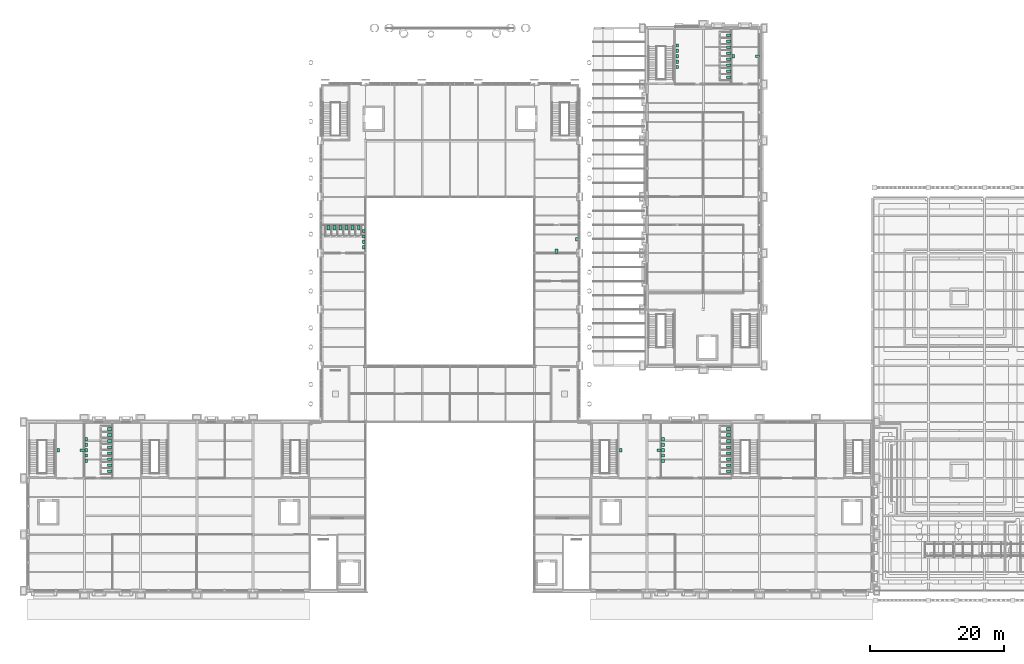
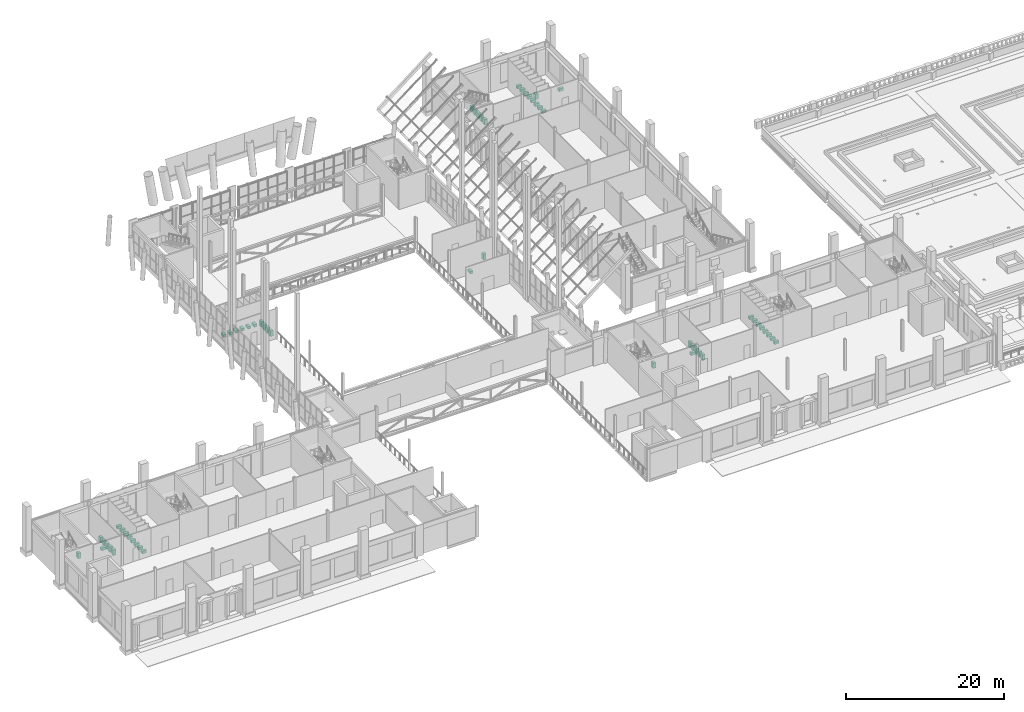
# One storey, part 76 of 76: 57 sanitary terminals.
"""IFC4 building model written with IfcOpenShell, lengths in metres."""

from ifc_helpers import new_model, si_unit, direction, frame, origin, origin_2d, place, context, subcontext, project, spatial, rectangle, extrude, element, save


model = new_model("IFC4")

# Units and contexts
model_context = context("Model", 3, precision=1e-05, world=origin(), true_north=direction((0.0, 1.0)))
body_context = subcontext(model_context, "Body", "Model", "MODEL_VIEW")
ifc_project = project(units=[si_unit("LENGTHUNIT", "METRE"), si_unit("AREAUNIT", "SQUARE_METRE"), si_unit("VOLUMEUNIT", "CUBIC_METRE"), si_unit("PLANEANGLEUNIT", "RADIAN"), si_unit("MASSUNIT", "GRAM", prefix="KILO")], contexts=[model_context])

# Site, building, storey
site_placement = place(None, origin())
site = spatial("IfcSite", under=ifc_project, at=site_placement, CompositionType="ELEMENT")
building_placement = place(site_placement, origin())
building = spatial("IfcBuilding", under=site, at=building_placement, Name="Sava Quay Ferry Terminal", CompositionType="ELEMENT")
storey_placement = place(building_placement, frame((0.0, 0.0, 6.0)))
storey = spatial("IfcBuildingStorey", under=building, at=storey_placement, Name="L01", CompositionType="ELEMENT", Elevation=6.0)

# Sanitary terminals
for number, where, z_axis, x_axis, name in (
    (1, (12.199951171875, 43.050048828125, 0.0), (0.0, 0.0, 1.0), (1.0, 0.0, 0.0), "WC pan"),
    (2, (12.199951171875, 43.949951171875, 0.0), (0.0, 0.0, 1.0), (1.0, 0.0, 0.0), "WC pan"),
    (3, (12.199951171875, 44.85009765625, 0.0), (0.0, 0.0, 1.0), (1.0, 0.0, 0.0), "WC pan"),
    (4, (12.199951171875, 45.75, 0.0), (0.0, 0.0, 1.0), (1.0, 0.0, 0.0), "WC pan"),
    (5, (12.199951171875, 46.64990234375, 0.0), (0.0, 0.0, 1.0), (1.0, 0.0, 0.0), "WC pan"),
    (6, (12.199951171875, 47.550048828125, 0.0), (0.0, 0.0, 1.0), (1.0, 0.0, 0.0), "WC pan"),
    (7, (12.199951171875, 48.449951171875, 0.0), (0.0, 0.0, 1.0), (1.0, 0.0, 0.0), "WC pan"),
    (8, (12.199951171875, 49.35009765625, 0.0), (0.0, 0.0, 1.0), (1.0, 0.0, 0.0), "WC pan"),
    (9, (104.60009765625, 43.050048828125, 0.0), (0.0, 0.0, 1.0), (1.0, 0.0, 0.0), "WC pan"),
    (10, (104.60009765625, 43.949951171875, 0.0), (0.0, 0.0, 1.0), (1.0, 0.0, 0.0), "WC pan"),
    (11, (104.60009765625, 44.85009765625, 0.0), (0.0, 0.0, 1.0), (1.0, 0.0, 0.0), "WC pan"),
    (12, (104.60009765625, 45.75, 0.0), (0.0, 0.0, 1.0), (1.0, 0.0, 0.0), "WC pan"),
    (13, (104.60009765625, 46.64990234375, 0.0), (0.0, 0.0, 1.0), (1.0, 0.0, 0.0), "WC pan"),
    (14, (104.60009765625, 47.550048828125, 0.0), (0.0, 0.0, 1.0), (1.0, 0.0, 0.0), "WC pan"),
    (15, (104.60009765625, 48.449951171875, 0.0), (0.0, 0.0, 1.0), (1.0, 0.0, 0.0), "WC pan"),
    (16, (104.60009765625, 49.35009765625, 0.0), (0.0, 0.0, 1.0), (1.0, 0.0, 0.0), "WC pan"),
):
    element("IfcSanitaryTerminal", number, at=place(storey_placement, frame(where, z_axis=z_axis, x_axis=x_axis)), inside=storey, Name=name, PredefinedType="WCSEAT", context=body_context, shape_type="SweptSolid", body=[
        extrude(rectangle(XDim=0.64990234375, YDim=0.39990234375, at=origin_2d()), origin(), (0.0, 0.0, 1.0), 0.39990234375),
    ])
for number, where, z_axis, x_axis, name in (
    (17, (44.85009765625, 79.39990234375, 0.0), (0.0, 0.0, 1.0), (1.0, 0.0, 0.0), "WC pan"),
    (18, (45.75, 79.39990234375, 0.0), (0.0, 0.0, 1.0), (1.0, 0.0, 0.0), "WC pan"),
    (19, (46.64990234375, 79.39990234375, 0.0), (0.0, 0.0, 1.0), (1.0, 0.0, 0.0), "WC pan"),
    (20, (47.550048828125, 79.39990234375, 0.0), (0.0, 0.0, 1.0), (1.0, 0.0, 0.0), "WC pan"),
    (21, (48.449951171875, 79.39990234375, 0.0), (0.0, 0.0, 1.0), (1.0, 0.0, 0.0), "WC pan"),
    (22, (49.35009765625, 79.39990234375, 0.0), (0.0, 0.0, 1.0), (1.0, 0.0, 0.0), "WC pan"),
):
    element("IfcSanitaryTerminal", number, at=place(storey_placement, frame(where, z_axis=z_axis, x_axis=x_axis)), inside=storey, Name=name, PredefinedType="WCSEAT", context=body_context, shape_type="SweptSolid", body=[
        extrude(rectangle(XDim=0.39990234375, YDim=0.64990234375, at=origin_2d()), origin(), (0.0, 0.0, 1.0), 0.39990234375),
    ])
for number, where, z_axis, x_axis, name in (
    (23, (104.60009765625, 101.85009765625, 0.0), (0.0, 0.0, 1.0), (1.0, 0.0, 0.0), "WC pan"),
    (24, (104.60009765625, 102.75, 0.0), (0.0, 0.0, 1.0), (1.0, 0.0, 0.0), "WC pan"),
    (25, (104.60009765625, 103.64990234375, 0.0), (0.0, 0.0, 1.0), (1.0, 0.0, 0.0), "WC pan"),
    (26, (104.60009765625, 104.550048828125, 0.0), (0.0, 0.0, 1.0), (1.0, 0.0, 0.0), "WC pan"),
    (27, (104.60009765625, 105.449951171875, 0.0), (0.0, 0.0, 1.0), (1.0, 0.0, 0.0), "WC pan"),
    (28, (104.60009765625, 106.35009765625, 0.0), (0.0, 0.0, 1.0), (1.0, 0.0, 0.0), "WC pan"),
    (29, (104.60009765625, 107.25, 0.0), (0.0, 0.0, 1.0), (1.0, 0.0, 0.0), "WC pan"),
    (30, (104.60009765625, 108.14990234375, 0.0), (0.0, 0.0, 1.0), (1.0, 0.0, 0.0), "WC pan"),
    (31, (8.10009765625, 46.199951171875, 0.0), (0.0, 0.0, 1.0), (1.0, 0.0, 0.0), "WC pan"),
):
    element("IfcSanitaryTerminal", number, at=place(storey_placement, frame(where, z_axis=z_axis, x_axis=x_axis)), inside=storey, Name=name, PredefinedType="WCSEAT", context=body_context, shape_type="SweptSolid", body=[
        extrude(rectangle(XDim=0.64990234375, YDim=0.39990234375, at=origin_2d()), origin(), (0.0, 0.0, 1.0), 0.39990234375),
    ])
for number, where, z_axis, x_axis, name in (
    (32, (4.5, 46.199951171875, 0.0), (0.0, 0.0, 1.0), (1.0, 0.0, 0.0), "Wash basin"),
    (33, (8.699951171875, 44.60009765625, 0.0), (0.0, 0.0, 1.0), (1.0, 0.0, 0.0), "Wash basin"),
    (34, (8.699951171875, 45.39990234375, 0.0), (0.0, 0.0, 1.0), (1.0, 0.0, 0.0), "Wash basin"),
    (35, (8.699951171875, 46.199951171875, 0.0), (0.0, 0.0, 1.0), (1.0, 0.0, 0.0), "Wash basin"),
    (36, (8.699951171875, 47.0, 0.0), (0.0, 0.0, 1.0), (1.0, 0.0, 0.0), "Wash basin"),
    (37, (8.699951171875, 47.800048828125, 0.0), (0.0, 0.0, 1.0), (1.0, 0.0, 0.0), "Wash basin"),
):
    element("IfcSanitaryTerminal", number, at=place(storey_placement, frame(where, z_axis=z_axis, x_axis=x_axis)), inside=storey, Name=name, PredefinedType="WASHHANDBASIN", context=body_context, shape_type="SweptSolid", body=[
        extrude(rectangle(XDim=0.39990234375, YDim=0.5, at=origin_2d()), origin(), (0.0, 0.0, 1.0), 0.85009765625),
    ])
sanitary_terminal_1_placement = place(storey_placement, frame((94.199951171875, 46.199951171875, 0.0), z_axis=(0.0, 0.0, 1.0), x_axis=(1.0, 0.0, 0.0)))
element("IfcSanitaryTerminal", 38, at=sanitary_terminal_1_placement, inside=storey, Name="WC pan", PredefinedType="WCSEAT", context=body_context, shape_type="SweptSolid", body=[
    extrude(rectangle(XDim=0.64990234375, YDim=0.39990234375, at=origin_2d()), origin(), (0.0, 0.0, 1.0), 0.39990234375),
])
for number, where, z_axis, x_axis, name in (
    (39, (88.5, 46.199951171875, 0.0), (0.0, 0.0, 1.0), (1.0, 0.0, 0.0), "Wash basin"),
    (40, (94.800048828125, 44.60009765625, 0.0), (0.0, 0.0, 1.0), (1.0, 0.0, 0.0), "Wash basin"),
    (41, (94.800048828125, 45.39990234375, 0.0), (0.0, 0.0, 1.0), (1.0, 0.0, 0.0), "Wash basin"),
    (42, (94.800048828125, 46.199951171875, 0.0), (0.0, 0.0, 1.0), (1.0, 0.0, 0.0), "Wash basin"),
    (43, (94.800048828125, 47.0, 0.0), (0.0, 0.0, 1.0), (1.0, 0.0, 0.0), "Wash basin"),
    (44, (94.800048828125, 47.800048828125, 0.0), (0.0, 0.0, 1.0), (1.0, 0.0, 0.0), "Wash basin"),
    (45, (50.10009765625, 76.5, 0.0), (0.0, 0.0, 1.0), (1.0, 0.0, 0.0), "Wash basin"),
    (46, (50.10009765625, 77.300048828125, 0.0), (0.0, 0.0, 1.0), (1.0, 0.0, 0.0), "Wash basin"),
    (47, (50.10009765625, 78.10009765625, 0.0), (0.0, 0.0, 1.0), (1.0, 0.0, 0.0), "Wash basin"),
    (48, (50.10009765625, 78.89990234375, 0.0), (0.0, 0.0, 1.0), (1.0, 0.0, 0.0), "Wash basin"),
):
    element("IfcSanitaryTerminal", number, at=place(storey_placement, frame(where, z_axis=z_axis, x_axis=x_axis)), inside=storey, Name=name, PredefinedType="WASHHANDBASIN", context=body_context, shape_type="SweptSolid", body=[
        extrude(rectangle(XDim=0.39990234375, YDim=0.5, at=origin_2d()), origin(), (0.0, 0.0, 1.0), 0.85009765625),
    ])
sanitary_terminal_2_placement = place(storey_placement, frame((78.89990234375, 75.89990234375, 0.0), z_axis=(0.0, 0.0, 1.0), x_axis=(1.0, 0.0, 0.0)))
element("IfcSanitaryTerminal", 49, at=sanitary_terminal_2_placement, inside=storey, Name="WC pan", PredefinedType="WCSEAT", context=body_context, shape_type="SweptSolid", body=[
    extrude(rectangle(XDim=0.39990234375, YDim=0.64990234375, at=origin_2d()), origin(), (0.0, 0.0, 1.0), 0.39990234375),
])
for number, where, z_axis, x_axis, name in (
    (50, (81.89990234375, 77.699951171875, 0.0), (0.0, 0.0, 1.0), (1.0, 0.0, 0.0), "Wash basin"),
    (51, (96.89990234375, 103.39990234375, 0.0), (0.0, 0.0, 1.0), (1.0, 0.0, 0.0), "Wash basin"),
    (52, (96.89990234375, 104.199951171875, 0.0), (0.0, 0.0, 1.0), (1.0, 0.0, 0.0), "Wash basin"),
    (53, (96.89990234375, 105.0, 0.0), (0.0, 0.0, 1.0), (1.0, 0.0, 0.0), "Wash basin"),
    (54, (96.89990234375, 105.800048828125, 0.0), (0.0, 0.0, 1.0), (1.0, 0.0, 0.0), "Wash basin"),
    (55, (96.89990234375, 106.60009765625, 0.0), (0.0, 0.0, 1.0), (1.0, 0.0, 0.0), "Wash basin"),
):
    element("IfcSanitaryTerminal", number, at=place(storey_placement, frame(where, z_axis=z_axis, x_axis=x_axis)), inside=storey, Name=name, PredefinedType="WASHHANDBASIN", context=body_context, shape_type="SweptSolid", body=[
        extrude(rectangle(XDim=0.39990234375, YDim=0.5, at=origin_2d()), origin(), (0.0, 0.0, 1.0), 0.85009765625),
    ])
sanitary_terminal_3_placement = place(storey_placement, frame((108.89990234375, 105.0, 0.0), z_axis=(0.0, 0.0, 1.0), x_axis=(1.0, 0.0, 0.0)))
element("IfcSanitaryTerminal", 56, at=sanitary_terminal_3_placement, inside=storey, Name="WC pan", PredefinedType="WCSEAT", context=body_context, shape_type="SweptSolid", body=[
    extrude(rectangle(XDim=0.64990234375, YDim=0.39990234375, at=origin_2d()), origin(), (0.0, 0.0, 1.0), 0.39990234375),
])
sanitary_terminal_4_placement = place(storey_placement, frame((105.300048828125, 105.0, 0.0), z_axis=(0.0, 0.0, 1.0), x_axis=(1.0, 0.0, 0.0)))
element("IfcSanitaryTerminal", 57, at=sanitary_terminal_4_placement, inside=storey, Name="Wash basin", PredefinedType="WASHHANDBASIN", context=body_context, shape_type="SweptSolid", body=[
    extrude(rectangle(XDim=0.39990234375, YDim=0.5, at=origin_2d()), origin(), (0.0, 0.0, 1.0), 0.85009765625),
])

save(model, "model.ifc")
